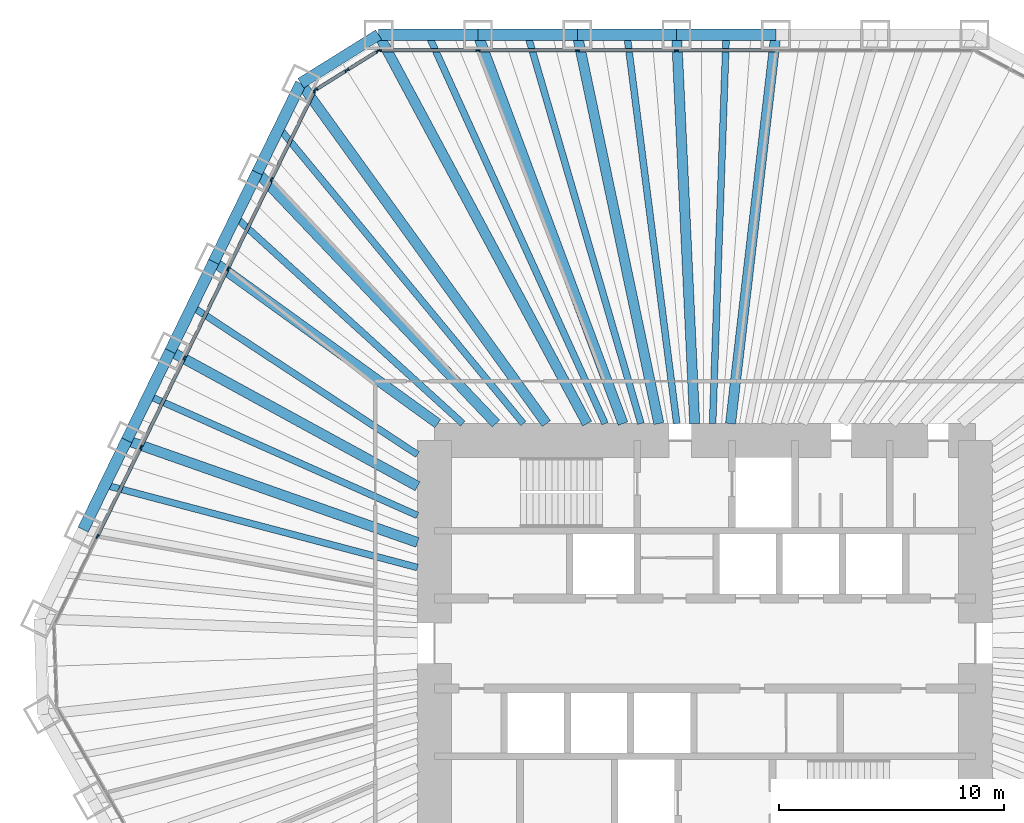
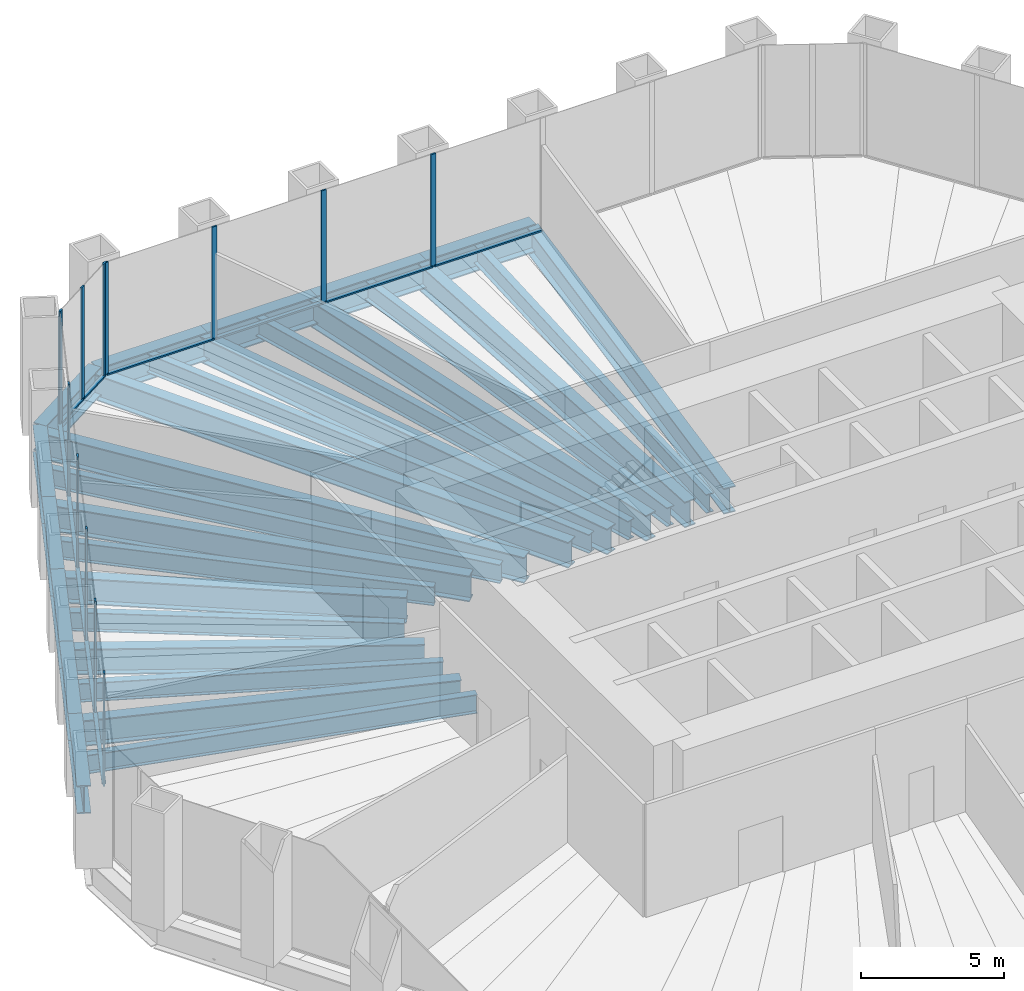
# One storey, part 6 of 13: 29 beams, 24 members, 3 elements without a shape of their own.
"""IFC4 building model written with IfcOpenShell, lengths in metres."""

from ifc_helpers import new_model, si_unit, direction, frame, origin, origin_2d, place, context, subcontext, project, spatial, rectangle, i_section, extrude, material, material_profile, profile_set, type_object, element, aggregate, save


model = new_model("IFC4")

# Units and contexts
model_context = context("Model", 3, precision=1e-05, world=origin(), true_north=direction((0.0, 1.0)))
body_context = subcontext(model_context, "Body", "Model", "MODEL_VIEW")
ifc_project = project(units=[si_unit("LENGTHUNIT", "METRE"), si_unit("AREAUNIT", "SQUARE_METRE"), si_unit("VOLUMEUNIT", "CUBIC_METRE"), si_unit("PLANEANGLEUNIT", "RADIAN"), si_unit("MASSUNIT", "GRAM", prefix="KILO")], contexts=[model_context])

# Site, building, storey
site_placement = place(None, origin())
site = spatial("IfcSite", under=ifc_project, at=site_placement, CompositionType="ELEMENT")
building_placement = place(site_placement, origin())
building = spatial("IfcBuilding", under=site, at=building_placement, Name="Qingtian Harvest Tower", CompositionType="ELEMENT")
storey_placement = place(building_placement, frame((0.0, 0.0, 47.0)))
storey = spatial("IfcBuildingStorey", under=building, at=storey_placement, Name="L09", CompositionType="ELEMENT", Elevation=47.0)

# Beams
ifc_material_1 = material(Name="Steel SM570MC", Category="steel")
ifc_material_profile_1 = material_profile(ifc_material_1, i_section(OverallWidth=0.449951171875, OverallDepth=1.10009765625, WebThickness=0.02197265625, FlangeThickness=0.044921875, at=origin_2d()), Name="H1100x450x22x45")
ifc_profile_set_1 = profile_set([ifc_material_profile_1], Name="Steel SM570MC")
beam_type_1 = type_object("IfcBeamType", Name="Corner floor beam FB8 H1100x450x22x45", PredefinedType="BEAM", material=ifc_profile_set_1)
beam_1_placement = place(storey_placement, frame((-14.471435546875, 27.0, -0.75), z_axis=(0.472401408299, -0.881383520062, 0.0), x_axis=(0.881383520062, 0.472401408299, 0.0)))
element("IfcBeam", 1, at=beam_1_placement, inside=storey, type_object=beam_type_1, Name="Floor beam FB8 N0", PredefinedType="BEAM", context=body_context, shape_type="SweptSolid", body=[
    extrude(i_section(OverallWidth=0.449951171875, OverallDepth=1.10009765625, WebThickness=0.02197265625, FlangeThickness=0.044921875, at=origin_2d()), origin(), (0.0, 0.0, 1.0), 19.571533203125),
])
beam_2_placement = place(storey_placement, frame((-17.923583984375, 24.8427734375, -0.75), z_axis=(0.585095822328, -0.810964166098, 0.0), x_axis=(0.810964166098, 0.585095822328, 0.0)))
element("IfcBeam", 2, at=beam_2_placement, inside=storey, type_object=beam_type_1, Name="Floor beam FB8 NW6", PredefinedType="BEAM", context=body_context, shape_type="SweptSolid", body=[
    extrude(i_section(OverallWidth=0.449951171875, OverallDepth=1.10009765625, WebThickness=0.02197265625, FlangeThickness=0.044921875, at=origin_2d()), origin(), (0.0, 0.0, 1.0), 18.61083984375),
])
ifc_material_2 = material(Name="Steel SM570MC", Category="steel")
ifc_material_profile_2 = material_profile(ifc_material_2, i_section(OverallWidth=0.449951171875, OverallDepth=1.10009765625, WebThickness=0.02197265625, FlangeThickness=0.044921875, at=origin_2d()), Name="H1100x450x22x45")
ifc_profile_set_2 = profile_set([ifc_material_profile_2], Name="Steel SM570MC")
beam_type_2 = type_object("IfcBeamType", Name="Floor beam FB1 H1100x450x22x45", PredefinedType="BEAM", material=ifc_profile_set_2)
beam_3_placement = place(storey_placement, frame((-10.06689453125, 27.0, -0.75), z_axis=(0.349355612113, -0.936990211414, 0.0), x_axis=(0.936990211414, 0.349355612113, 0.0)))
element("IfcBeam", 3, at=beam_3_placement, inside=storey, type_object=beam_type_2, Name="Floor beam FB1 N1", PredefinedType="BEAM", context=body_context, shape_type="SweptSolid", body=[
    extrude(i_section(OverallWidth=0.449951171875, OverallDepth=1.10009765625, WebThickness=0.02197265625, FlangeThickness=0.044921875, at=origin_2d()), origin(), (0.0, 0.0, 1.0), 18.409912109375),
])
beam_4_placement = place(storey_placement, frame((-5.662353515625, 27.0, -0.75), z_axis=(0.205255077335, -0.978708512903, 0.0), x_axis=(0.978708512903, 0.205255077335, 0.0)))
element("IfcBeam", 4, at=beam_4_placement, inside=storey, type_object=beam_type_2, Name="Floor beam FB1 N2", PredefinedType="BEAM", context=body_context, shape_type="SweptSolid", body=[
    extrude(i_section(OverallWidth=0.449951171875, OverallDepth=1.10009765625, WebThickness=0.02197265625, FlangeThickness=0.044921875, at=origin_2d()), origin(), (0.0, 0.0, 1.0), 17.625244140625),
])
beam_5_placement = place(storey_placement, frame((-1.257568359375, 27.0, -0.75), z_axis=(0.046527342366, -0.99891701678, 0.0), x_axis=(0.99891701678, 0.046527342366, 0.0)))
element("IfcBeam", 5, at=beam_5_placement, inside=storey, type_object=beam_type_2, Name="Floor beam FB1 N3", PredefinedType="BEAM", context=body_context, shape_type="SweptSolid", body=[
    extrude(i_section(OverallWidth=0.449951171875, OverallDepth=1.10009765625, WebThickness=0.02197265625, FlangeThickness=0.044921875, at=origin_2d()), origin(), (0.0, 0.0, 1.0), 17.268798828125),
])
beam_6_placement = place(storey_placement, frame((3.14697265625, 27.0, -0.75), z_axis=(-0.115766971807, -0.993276400726, 0.0), x_axis=(0.993276400726, -0.115766971807, 0.0)))
element("IfcBeam", 6, at=beam_6_placement, inside=storey, type_object=beam_type_2, Name="Floor beam FB1 N4", PredefinedType="BEAM", context=body_context, shape_type="SweptSolid", body=[
    extrude(i_section(OverallWidth=0.449951171875, OverallDepth=1.10009765625, WebThickness=0.02197265625, FlangeThickness=0.044921875, at=origin_2d()), origin(), (0.0, 0.0, 1.0), 17.36669921875),
])
beam_7_placement = place(storey_placement, frame((-25.64697265625, 9.007568359375, -0.75), z_axis=(0.943501950009, -0.331366972296, 0.0), x_axis=(0.331366972296, 0.943501950009, 0.0)))
element("IfcBeam", 7, at=beam_7_placement, inside=storey, type_object=beam_type_2, Name="Floor beam FB1 NW2", PredefinedType="BEAM", context=body_context, shape_type="SweptSolid", body=[
    extrude(i_section(OverallWidth=0.449951171875, OverallDepth=1.10009765625, WebThickness=0.02197265625, FlangeThickness=0.044921875, at=origin_2d()), origin(), (0.0, 0.0, 1.0), 13.669189453125),
])
beam_8_placement = place(storey_placement, frame((-23.716064453125, 12.96630859375, -0.75), z_axis=(0.877428569154, -0.479707312882, 0.0), x_axis=(0.479707312882, 0.877428569154, 0.0)))
element("IfcBeam", 8, at=beam_8_placement, inside=storey, type_object=beam_type_2, Name="Floor beam FB1 NW3", PredefinedType="BEAM", context=body_context, shape_type="SweptSolid", body=[
    extrude(i_section(OverallWidth=0.449951171875, OverallDepth=1.10009765625, WebThickness=0.02197265625, FlangeThickness=0.044921875, at=origin_2d()), origin(), (0.0, 0.0, 1.0), 12.498046875),
])
beam_9_placement = place(storey_placement, frame((-21.78515625, 16.92529296875, -0.75), z_axis=(0.810680279019, -0.585489099139, 0.0), x_axis=(0.585489099139, 0.810680279019, 0.0)))
element("IfcBeam", 9, at=beam_9_placement, inside=storey, type_object=beam_type_2, Name="Floor beam FB1 NW4", PredefinedType="BEAM", context=body_context, shape_type="SweptSolid", body=[
    extrude(i_section(OverallWidth=0.449951171875, OverallDepth=1.10009765625, WebThickness=0.02197265625, FlangeThickness=0.044921875, at=origin_2d()), origin(), (0.0, 0.0, 1.0), 12.255126953125),
])
beam_10_placement = place(storey_placement, frame((-19.8544921875, 20.884033203125, -0.75), z_axis=(0.689018801535, -0.724743465739, 0.0), x_axis=(0.724743465739, 0.689018801535, 0.0)))
element("IfcBeam", 10, at=beam_10_placement, inside=storey, type_object=beam_type_2, Name="Floor beam FB1 NW5", PredefinedType="BEAM", context=body_context, shape_type="SweptSolid", body=[
    extrude(i_section(OverallWidth=0.449951171875, OverallDepth=1.10009765625, WebThickness=0.02197265625, FlangeThickness=0.044921875, at=origin_2d()), origin(), (0.0, 0.0, 1.0), 15.36279296875),
])
ifc_material_3 = material(Name="Steel SN490B", Category="steel")
ifc_material_profile_3 = material_profile(ifc_material_3, i_section(OverallWidth=0.300048828125, OverallDepth=0.800048828125, WebThickness=0.013916015625, FlangeThickness=0.02587890625, at=origin_2d()), Name="H800x300x14x26")
ifc_profile_set_3 = profile_set([ifc_material_profile_3], Name="Steel SN490B")
beam_type_3 = type_object("IfcBeamType", Name="Floor joist J1 H800x300x14x26", PredefinedType="JOIST", material=ifc_profile_set_3)
beam_11_placement = place(storey_placement, frame((-12.269287109375, 27.0, -0.60009765625), z_axis=(0.413713629402, -0.910407069858, 0.0), x_axis=(0.910407069858, 0.413713629402, 0.0)))
element("IfcBeam", 11, at=beam_11_placement, inside=storey, type_object=beam_type_3, Name="Floor joist J1 N0", PredefinedType="JOIST", context=body_context, shape_type="SweptSolid", body=[
    extrude(i_section(OverallWidth=0.300048828125, OverallDepth=0.800048828125, WebThickness=0.013916015625, FlangeThickness=0.02587890625, at=origin_2d()), origin(), (0.0, 0.0, 1.0), 18.947509765625),
])
beam_12_placement = place(storey_placement, frame((-7.864501953125, 27.0, -0.60009765625), z_axis=(0.279649335299, -0.960102207719, 0.0), x_axis=(0.960102207719, 0.279649335299, 0.0)))
element("IfcBeam", 12, at=beam_12_placement, inside=storey, type_object=beam_type_3, Name="Floor joist J1 N1", PredefinedType="JOIST", context=body_context, shape_type="SweptSolid", body=[
    extrude(i_section(OverallWidth=0.300048828125, OverallDepth=0.800048828125, WebThickness=0.013916015625, FlangeThickness=0.02587890625, at=origin_2d()), origin(), (0.0, 0.0, 1.0), 17.966796875),
])
beam_13_placement = place(storey_placement, frame((-3.4599609375, 27.0, -0.60009765625), z_axis=(0.127102696173, -0.991889562716, 0.0), x_axis=(0.991889562716, 0.127102696173, 0.0)))
element("IfcBeam", 13, at=beam_13_placement, inside=storey, type_object=beam_type_3, Name="Floor joist J1 N2", PredefinedType="JOIST", context=body_context, shape_type="SweptSolid", body=[
    extrude(i_section(OverallWidth=0.300048828125, OverallDepth=0.800048828125, WebThickness=0.013916015625, FlangeThickness=0.02587890625, at=origin_2d()), origin(), (0.0, 0.0, 1.0), 17.39111328125),
])
beam_14_placement = place(storey_placement, frame((0.944580078125, 27.0, -0.60009765625), z_axis=(-0.034965020137, -0.99938853674, 0.0), x_axis=(0.99938853674, -0.034965020137, 0.0)))
element("IfcBeam", 14, at=beam_14_placement, inside=storey, type_object=beam_type_3, Name="Floor joist J1 N3", PredefinedType="JOIST", context=body_context, shape_type="SweptSolid", body=[
    extrude(i_section(OverallWidth=0.300048828125, OverallDepth=0.800048828125, WebThickness=0.013916015625, FlangeThickness=0.02587890625, at=origin_2d()), origin(), (0.0, 0.0, 1.0), 17.260498046875),
])
beam_15_placement = place(storey_placement, frame((-26.6123046875, 7.028076171875, -0.60009765625), z_axis=(0.966852496992, -0.255335561684, 0.0), x_axis=(0.255335561684, 0.966852496992, 0.0)))
element("IfcBeam", 15, at=beam_15_placement, inside=storey, type_object=beam_type_3, Name="Floor joist J1 NW1", PredefinedType="JOIST", context=body_context, shape_type="SweptSolid", body=[
    extrude(i_section(OverallWidth=0.300048828125, OverallDepth=0.800048828125, WebThickness=0.013916015625, FlangeThickness=0.02587890625, at=origin_2d()), origin(), (0.0, 0.0, 1.0), 14.337646484375),
])
beam_16_placement = place(storey_placement, frame((-24.681640625, 10.987060546875, -0.60009765625), z_axis=(0.913567796195, -0.406686466157, 0.0), x_axis=(0.406686466157, 0.913567796195, 0.0)))
element("IfcBeam", 16, at=beam_16_placement, inside=storey, type_object=beam_type_3, Name="Floor joist J1 NW2", PredefinedType="JOIST", context=body_context, shape_type="SweptSolid", body=[
    extrude(i_section(OverallWidth=0.300048828125, OverallDepth=0.800048828125, WebThickness=0.013916015625, FlangeThickness=0.02587890625, at=origin_2d()), origin(), (0.0, 0.0, 1.0), 13.060546875),
])
beam_17_placement = place(storey_placement, frame((-22.750732421875, 14.94580078125, -0.60009765625), z_axis=(0.835785467613, -0.549056146607, 0.0), x_axis=(0.549056146607, 0.835785467613, 0.0)))
element("IfcBeam", 17, at=beam_17_placement, inside=storey, type_object=beam_type_3, Name="Floor joist J1 NW3", PredefinedType="JOIST", context=body_context, shape_type="SweptSolid", body=[
    extrude(i_section(OverallWidth=0.300048828125, OverallDepth=0.800048828125, WebThickness=0.013916015625, FlangeThickness=0.02587890625, at=origin_2d()), origin(), (0.0, 0.0, 1.0), 11.965576171875),
])
beam_18_placement = place(storey_placement, frame((-20.81982421875, 18.904541015625, -0.60009765625), z_axis=(0.740339866926, -0.672232758381, 0.0), x_axis=(0.672232758381, 0.740339866926, 0.0)))
element("IfcBeam", 18, at=beam_18_placement, inside=storey, type_object=beam_type_3, Name="Floor joist J1 NW4", PredefinedType="JOIST", context=body_context, shape_type="SweptSolid", body=[
    extrude(i_section(OverallWidth=0.300048828125, OverallDepth=0.800048828125, WebThickness=0.013916015625, FlangeThickness=0.02587890625, at=origin_2d()), origin(), (0.0, 0.0, 1.0), 13.6181640625),
])
beam_19_placement = place(storey_placement, frame((-18.888916015625, 22.863525390625, -0.60009765625), z_axis=(0.636910378144, -0.77093785107, 0.0), x_axis=(0.77093785107, 0.636910378144, 0.0)))
element("IfcBeam", 19, at=beam_19_placement, inside=storey, type_object=beam_type_3, Name="Floor joist J1 NW5", PredefinedType="JOIST", context=body_context, shape_type="SweptSolid", body=[
    extrude(i_section(OverallWidth=0.300048828125, OverallDepth=0.800048828125, WebThickness=0.013916015625, FlangeThickness=0.02587890625, at=origin_2d()), origin(), (0.0, 0.0, 1.0), 17.009765625),
])

# Curtain wall, members
ifc_material_4 = material(Name="Bronze-anodised aluminium curtain wall", Category="aluminium")
curtain_wall_type = type_object("IfcCurtainWallType", Name="Curtain wall CW2 farm reception", PredefinedType="USERDEFINED", material=ifc_material_4)
curtain_wall_1_placement = place(storey_placement, origin())
curtain_wall_1 = element("IfcCurtainWall", 20, at=curtain_wall_1_placement, inside=storey, type_object=curtain_wall_type, Name="Curtain wall CW2 L09 N0-5", ObjectType="RECESSED CURTAIN WALL", PredefinedType="USERDEFINED")
ifc_material_5 = material(Name="Bronze-anodised aluminium mullion", Category="aluminium")
ifc_material_profile_4 = material_profile(ifc_material_5, rectangle(XDim=0.06494140625, YDim=0.199951171875, at=origin_2d()), Name="AL 65x200")
ifc_profile_set_4 = profile_set([ifc_material_profile_4], Name="Bronze-anodised aluminium mullion")
member_type_1 = type_object("IfcMemberType", Name="Mullion CWM 65x200", PredefinedType="MULLION", material=ifc_profile_set_4)
member_1_placement = place(storey_placement, frame((-14.43896484375, 26.300048828125, 0.0), z_axis=(0.0, 0.0, 1.0), x_axis=(0.0, 1.0, 0.0)))
member_1 = element("IfcMember", 21, at=member_1_placement, type_object=member_type_1, Name="CW2 mullion 1", PredefinedType="MULLION", context=body_context, shape_type="SweptSolid", body=[
    extrude(rectangle(XDim=0.06494140625, YDim=0.199951171875, at=origin_2d()), origin(), (0.0, 0.0, 1.0), 4.800048828125),
])
member_2_placement = place(storey_placement, frame((-10.06689453125, 26.300048828125, 0.0), z_axis=(0.0, 0.0, 1.0), x_axis=(0.0, 1.0, 0.0)))
member_2 = element("IfcMember", 22, at=member_2_placement, type_object=member_type_1, Name="CW2 mullion 2", PredefinedType="MULLION", context=body_context, shape_type="SweptSolid", body=[
    extrude(rectangle(XDim=0.06494140625, YDim=0.199951171875, at=origin_2d()), origin(), (0.0, 0.0, 1.0), 4.800048828125),
])
member_3_placement = place(storey_placement, frame((-5.662353515625, 26.300048828125, 0.0), z_axis=(0.0, 0.0, 1.0), x_axis=(0.0, 1.0, 0.0)))
member_3 = element("IfcMember", 23, at=member_3_placement, type_object=member_type_1, Name="CW2 mullion 3", PredefinedType="MULLION", context=body_context, shape_type="SweptSolid", body=[
    extrude(rectangle(XDim=0.06494140625, YDim=0.199951171875, at=origin_2d()), origin(), (0.0, 0.0, 1.0), 4.800048828125),
])
member_4_placement = place(storey_placement, frame((-1.257568359375, 26.300048828125, 0.0), z_axis=(0.0, 0.0, 1.0), x_axis=(0.0, 1.0, 0.0)))
member_4 = element("IfcMember", 24, at=member_4_placement, type_object=member_type_1, Name="CW2 mullion 4", PredefinedType="MULLION", context=body_context, shape_type="SweptSolid", body=[
    extrude(rectangle(XDim=0.06494140625, YDim=0.199951171875, at=origin_2d()), origin(), (0.0, 0.0, 1.0), 4.800048828125),
])

curtain_wall_2_placement = place(storey_placement, origin())
curtain_wall_2 = element("IfcCurtainWall", 25, at=curtain_wall_2_placement, inside=storey, type_object=curtain_wall_type, Name="Curtain wall CW2 L09 NW0-5", ObjectType="RECESSED CURTAIN WALL", PredefinedType="USERDEFINED")
member_5_placement = place(storey_placement, frame((-26.94873046875, 4.741943359375, 0.0), z_axis=(0.0, 0.0, 1.0), x_axis=(-0.898794046299, 0.438371146789, 0.0)))
member_5 = element("IfcMember", 26, at=member_5_placement, type_object=member_type_1, Name="CW2 mullion 2", PredefinedType="MULLION", context=body_context, shape_type="SweptSolid", body=[
    extrude(rectangle(XDim=0.06494140625, YDim=0.199951171875, at=origin_2d()), origin(), (0.0, 0.0, 1.0), 4.800048828125),
])
member_6_placement = place(storey_placement, frame((-25.017822265625, 8.70068359375, 0.0), z_axis=(0.0, 0.0, 1.0), x_axis=(-0.898794046299, 0.438371146789, 0.0)))
member_6 = element("IfcMember", 27, at=member_6_placement, type_object=member_type_1, Name="CW2 mullion 3", PredefinedType="MULLION", context=body_context, shape_type="SweptSolid", body=[
    extrude(rectangle(XDim=0.06494140625, YDim=0.199951171875, at=origin_2d()), origin(), (0.0, 0.0, 1.0), 4.800048828125),
])
member_7_placement = place(storey_placement, frame((-23.0869140625, 12.659423828125, 0.0), z_axis=(0.0, 0.0, 1.0), x_axis=(-0.898794046299, 0.438371146789, 0.0)))
member_7 = element("IfcMember", 28, at=member_7_placement, type_object=member_type_1, Name="CW2 mullion 4", PredefinedType="MULLION", context=body_context, shape_type="SweptSolid", body=[
    extrude(rectangle(XDim=0.06494140625, YDim=0.199951171875, at=origin_2d()), origin(), (0.0, 0.0, 1.0), 4.800048828125),
])
member_8_placement = place(storey_placement, frame((-21.156005859375, 16.618408203125, 0.0), z_axis=(0.0, 0.0, 1.0), x_axis=(-0.898794046299, 0.438371146789, 0.0)))
member_8 = element("IfcMember", 29, at=member_8_placement, type_object=member_type_1, Name="CW2 mullion 5", PredefinedType="MULLION", context=body_context, shape_type="SweptSolid", body=[
    extrude(rectangle(XDim=0.06494140625, YDim=0.199951171875, at=origin_2d()), origin(), (0.0, 0.0, 1.0), 4.800048828125),
])
member_9_placement = place(storey_placement, frame((-19.225341796875, 20.5771484375, 0.0), z_axis=(0.0, 0.0, 1.0), x_axis=(-0.898794046299, 0.438371146789, 0.0)))
member_9 = element("IfcMember", 30, at=member_9_placement, type_object=member_type_1, Name="CW2 mullion 6", PredefinedType="MULLION", context=body_context, shape_type="SweptSolid", body=[
    extrude(rectangle(XDim=0.06494140625, YDim=0.199951171875, at=origin_2d()), origin(), (0.0, 0.0, 1.0), 4.800048828125),
])
member_10_placement = place(storey_placement, frame((-17.30859375, 24.5068359375, 0.0), z_axis=(0.0, 0.0, 1.0), x_axis=(-0.898794046299, 0.438371146789, 0.0)))
member_10 = element("IfcMember", 31, at=member_10_placement, type_object=member_type_1, Name="CW2 mullion 7", PredefinedType="MULLION", context=body_context, shape_type="SweptSolid", body=[
    extrude(rectangle(XDim=0.06494140625, YDim=0.199951171875, at=origin_2d()), origin(), (0.0, 0.0, 1.0), 4.800048828125),
])

curtain_wall_3_placement = place(storey_placement, origin())
curtain_wall_3 = element("IfcCurtainWall", 32, at=curtain_wall_3_placement, inside=storey, type_object=curtain_wall_type, Name="Curtain wall CW2 L09 NWC", ObjectType="RECESSED CURTAIN WALL", PredefinedType="USERDEFINED")
member_11_placement = place(storey_placement, frame((-17.266845703125, 24.55322265625, 0.0), z_axis=(0.0, 0.0, 1.0), x_axis=(-0.529919264233, 0.848048096156, 0.0)))
member_11 = element("IfcMember", 33, at=member_11_placement, type_object=member_type_1, Name="CW2 mullion 1", PredefinedType="MULLION", context=body_context, shape_type="SweptSolid", body=[
    extrude(rectangle(XDim=0.06494140625, YDim=0.199951171875, at=origin_2d()), origin(), (0.0, 0.0, 1.0), 4.800048828125),
])
member_12_placement = place(storey_placement, frame((-15.883056640625, 25.41796875, 0.0), z_axis=(0.0, 0.0, 1.0), x_axis=(-0.529919264233, 0.848048096156, 0.0)))
member_12 = element("IfcMember", 34, at=member_12_placement, type_object=member_type_1, Name="CW2 mullion 2", PredefinedType="MULLION", context=body_context, shape_type="SweptSolid", body=[
    extrude(rectangle(XDim=0.06494140625, YDim=0.199951171875, at=origin_2d()), origin(), (0.0, 0.0, 1.0), 4.800048828125),
])
member_13_placement = place(storey_placement, frame((-14.4990234375, 26.28271484375, 0.0), z_axis=(0.0, 0.0, 1.0), x_axis=(-0.529919264233, 0.848048096156, 0.0)))
member_13 = element("IfcMember", 35, at=member_13_placement, type_object=member_type_1, Name="CW2 mullion 3", PredefinedType="MULLION", context=body_context, shape_type="SweptSolid", body=[
    extrude(rectangle(XDim=0.06494140625, YDim=0.199951171875, at=origin_2d()), origin(), (0.0, 0.0, 1.0), 4.800048828125),
])

# Beams
ifc_material_6 = material(Name="Steel SM570MC", Category="steel")
ifc_material_profile_5 = material_profile(ifc_material_6, i_section(OverallWidth=0.5, OverallDepth=1.199951171875, WebThickness=0.02490234375, FlangeThickness=0.050048828125, at=origin_2d()), Name="H1200x500x25x50")
ifc_profile_set_5 = profile_set([ifc_material_profile_5], Name="Steel SM570MC")
beam_type_4 = type_object("IfcBeamType", Name="Spandrel beam SB1 H1200x500x25x50", PredefinedType="SPANDREL", material=ifc_profile_set_5)
for number, where, z_axis, x_axis, name in (
    (36, (-14.471435546875, 27.0, -0.60009765625), (1.0, 0.0, 0.0), (0.0, 1.0, 0.0), "Spandrel SB1 N0"),
    (37, (-10.06689453125, 27.0, -0.60009765625), (1.0, 0.0, 0.0), (0.0, 1.0, 0.0), "Spandrel SB1 N1"),
):
    element("IfcBeam", number, at=place(storey_placement, frame(where, z_axis=z_axis, x_axis=x_axis)), inside=storey, type_object=beam_type_4, Name=name, PredefinedType="SPANDREL", context=body_context, shape_type="SweptSolid", body=[
        extrude(i_section(OverallWidth=0.5, OverallDepth=1.199951171875, WebThickness=0.02490234375, FlangeThickness=0.050048828125, at=origin_2d()), origin(), (0.0, 0.0, 1.0), 4.404541015625),
    ])
beam_20_placement = place(storey_placement, frame((-5.662353515625, 27.0, -0.60009765625), z_axis=(1.0, 0.0, 0.0), x_axis=(0.0, 1.0, 0.0)))
element("IfcBeam", 38, at=beam_20_placement, inside=storey, type_object=beam_type_4, Name="Spandrel SB1 N2", PredefinedType="SPANDREL", context=body_context, shape_type="SweptSolid", body=[
    extrude(i_section(OverallWidth=0.5, OverallDepth=1.199951171875, WebThickness=0.02490234375, FlangeThickness=0.050048828125, at=origin_2d()), origin(), (0.0, 0.0, 1.0), 4.40478515625),
])
for number, where, z_axis, x_axis, name in (
    (39, (-1.257568359375, 27.0, -0.60009765625), (1.0, 0.0, 0.0), (0.0, 1.0, 0.0), "Spandrel SB1 N3"),
    (40, (-27.577880859375, 5.048828125, -0.60009765625), (0.438389777529, 0.898784959241, 0.0), (-0.898784959241, 0.438389777529, 0.0), "Spandrel SB1 NW1"),
    (41, (-25.64697265625, 9.007568359375, -0.60009765625), (0.438389777529, 0.898784959241, 0.0), (-0.898784959241, 0.438389777529, 0.0), "Spandrel SB1 NW2"),
):
    element("IfcBeam", number, at=place(storey_placement, frame(where, z_axis=z_axis, x_axis=x_axis)), inside=storey, type_object=beam_type_4, Name=name, PredefinedType="SPANDREL", context=body_context, shape_type="SweptSolid", body=[
        extrude(i_section(OverallWidth=0.5, OverallDepth=1.199951171875, WebThickness=0.02490234375, FlangeThickness=0.050048828125, at=origin_2d()), origin(), (0.0, 0.0, 1.0), 4.404541015625),
    ])
beam_21_placement = place(storey_placement, frame((-23.716064453125, 12.96630859375, -0.60009765625), z_axis=(0.438367938366, 0.898795611145, 0.0), x_axis=(-0.898795611145, 0.438367938366, 0.0)))
element("IfcBeam", 42, at=beam_21_placement, inside=storey, type_object=beam_type_4, Name="Spandrel SB1 NW3", PredefinedType="SPANDREL", context=body_context, shape_type="SweptSolid", body=[
    extrude(i_section(OverallWidth=0.5, OverallDepth=1.199951171875, WebThickness=0.02490234375, FlangeThickness=0.050048828125, at=origin_2d()), origin(), (0.0, 0.0, 1.0), 4.40478515625),
])
for number, where, z_axis, x_axis, name in (
    (43, (-21.78515625, 16.92529296875, -0.60009765625), (0.438344999367, 0.898806798778, 0.0), (-0.898806798778, 0.438344999367, 0.0), "Spandrel SB1 NW4"),
    (44, (-19.8544921875, 20.884033203125, -0.60009765625), (0.438389777529, 0.898784959241, 0.0), (-0.898784959241, 0.438389777529, 0.0), "Spandrel SB1 NW5"),
):
    element("IfcBeam", number, at=place(storey_placement, frame(where, z_axis=z_axis, x_axis=x_axis)), inside=storey, type_object=beam_type_4, Name=name, PredefinedType="SPANDREL", context=body_context, shape_type="SweptSolid", body=[
        extrude(i_section(OverallWidth=0.5, OverallDepth=1.199951171875, WebThickness=0.02490234375, FlangeThickness=0.050048828125, at=origin_2d()), origin(), (0.0, 0.0, 1.0), 4.404541015625),
    ])
beam_22_placement = place(storey_placement, frame((-17.923583984375, 24.8427734375, -0.60009765625), z_axis=(0.848038733752, 0.529934246919, 0.0), x_axis=(-0.529934246919, 0.848038733752, 0.0)))
element("IfcBeam", 45, at=beam_22_placement, inside=storey, type_object=beam_type_4, Name="Spandrel SB1 NWC", PredefinedType="SPANDREL", context=body_context, shape_type="SweptSolid", body=[
    extrude(i_section(OverallWidth=0.5, OverallDepth=1.199951171875, WebThickness=0.02490234375, FlangeThickness=0.050048828125, at=origin_2d()), origin(), (0.0, 0.0, 1.0), 4.07080078125),
])

# Member
ifc_material_7 = material(Name="Bronze-anodised aluminium transom", Category="aluminium")
ifc_material_profile_6 = material_profile(ifc_material_7, rectangle(XDim=0.14990234375, YDim=0.06494140625, at=origin_2d()), Name="AL 65x150")
ifc_profile_set_6 = profile_set([ifc_material_profile_6], Name="Bronze-anodised aluminium transom")
member_type_2 = type_object("IfcMemberType", Name="Transom CWT 65x150", PredefinedType="USERDEFINED", material=ifc_profile_set_6)
member_14_placement = place(storey_placement, frame((-14.406494140625, 26.300048828125, 0.032470703125), z_axis=(1.0, 0.0, 0.0), x_axis=(0.0, 1.0, 0.0)))
member_14 = element("IfcMember", 46, at=member_14_placement, type_object=member_type_2, Name="CW2 transom 1.1", ObjectType="TRANSOM", PredefinedType="USERDEFINED", context=body_context, shape_type="SweptSolid", body=[
    extrude(rectangle(XDim=0.14990234375, YDim=0.06494140625, at=origin_2d()), origin(), (0.0, 0.0, 1.0), 4.30712890625),
])

member_15_placement = place(storey_placement, frame((-10.034423828125, 26.300048828125, 0.032470703125), z_axis=(1.0, 0.0, 0.0), x_axis=(0.0, 1.0, 0.0)))
member_15 = element("IfcMember", 47, at=member_15_placement, type_object=member_type_2, Name="CW2 transom 2.1", ObjectType="TRANSOM", PredefinedType="USERDEFINED", context=body_context, shape_type="SweptSolid", body=[
    extrude(rectangle(XDim=0.14990234375, YDim=0.06494140625, at=origin_2d()), origin(), (0.0, 0.0, 1.0), 4.339599609375),
])

member_16_placement = place(storey_placement, frame((-5.6298828125, 26.300048828125, 0.032470703125), z_axis=(1.0, 0.0, 0.0), x_axis=(0.0, 1.0, 0.0)))
member_16 = element("IfcMember", 48, at=member_16_placement, type_object=member_type_2, Name="CW2 transom 3.1", ObjectType="TRANSOM", PredefinedType="USERDEFINED", context=body_context, shape_type="SweptSolid", body=[
    extrude(rectangle(XDim=0.14990234375, YDim=0.06494140625, at=origin_2d()), origin(), (0.0, 0.0, 1.0), 4.33984375),
])

member_17_placement = place(storey_placement, frame((-1.22509765625, 26.300048828125, 0.032470703125), z_axis=(1.0, 0.0, 0.0), x_axis=(0.0, 1.0, 0.0)))
member_17 = element("IfcMember", 49, at=member_17_placement, type_object=member_type_2, Name="CW2 transom 4.1", ObjectType="TRANSOM", PredefinedType="USERDEFINED", context=body_context, shape_type="SweptSolid", body=[
    extrude(rectangle(XDim=0.14990234375, YDim=0.06494140625, at=origin_2d()), origin(), (0.0, 0.0, 1.0), 4.339599609375),
])

aggregate(curtain_wall_1, [member_1, member_2, member_3, member_4, member_14, member_15, member_16, member_17])

member_18_placement = place(storey_placement, frame((-26.934326171875, 4.77099609375, 0.032470703125), z_axis=(0.438370427127, 0.898794397302, 0.0), x_axis=(-0.898794397302, 0.438370427127, 0.0)))
member_18 = element("IfcMember", 50, at=member_18_placement, type_object=member_type_2, Name="CW2 transom 2.1", ObjectType="TRANSOM", PredefinedType="USERDEFINED", context=body_context, shape_type="SweptSolid", body=[
    extrude(rectangle(XDim=0.14990234375, YDim=0.06494140625, at=origin_2d()), origin(), (0.0, 0.0, 1.0), 4.339599609375),
])

member_19_placement = place(storey_placement, frame((-25.003662109375, 8.72998046875, 0.032470703125), z_axis=(0.438370427127, 0.898794397302, 0.0), x_axis=(-0.898794397302, 0.438370427127, 0.0)))
member_19 = element("IfcMember", 51, at=member_19_placement, type_object=member_type_2, Name="CW2 transom 3.1", ObjectType="TRANSOM", PredefinedType="USERDEFINED", context=body_context, shape_type="SweptSolid", body=[
    extrude(rectangle(XDim=0.14990234375, YDim=0.06494140625, at=origin_2d()), origin(), (0.0, 0.0, 1.0), 4.339599609375),
])

member_20_placement = place(storey_placement, frame((-23.07275390625, 12.688720703125, 0.032470703125), z_axis=(0.438370427127, 0.898794397302, 0.0), x_axis=(-0.898794397302, 0.438370427127, 0.0)))
member_20 = element("IfcMember", 52, at=member_20_placement, type_object=member_type_2, Name="CW2 transom 4.1", ObjectType="TRANSOM", PredefinedType="USERDEFINED", context=body_context, shape_type="SweptSolid", body=[
    extrude(rectangle(XDim=0.14990234375, YDim=0.06494140625, at=origin_2d()), origin(), (0.0, 0.0, 1.0), 4.339599609375),
])

member_21_placement = place(storey_placement, frame((-21.141845703125, 16.6474609375, 0.032470703125), z_axis=(0.438348261778, 0.898805207704, 0.0), x_axis=(-0.898805207704, 0.438348261778, 0.0)))
member_21 = element("IfcMember", 53, at=member_21_placement, type_object=member_type_2, Name="CW2 transom 5.1", ObjectType="TRANSOM", PredefinedType="USERDEFINED", context=body_context, shape_type="SweptSolid", body=[
    extrude(rectangle(XDim=0.14990234375, YDim=0.06494140625, at=origin_2d()), origin(), (0.0, 0.0, 1.0), 4.33984375),
])

member_22_placement = place(storey_placement, frame((-19.2109375, 20.6064453125, 0.032470703125), z_axis=(0.438348803491, 0.89880494351, 0.0), x_axis=(-0.89880494351, 0.438348803491, 0.0)))
member_22 = element("IfcMember", 54, at=member_22_placement, type_object=member_type_2, Name="CW2 transom 6.1", ObjectType="TRANSOM", PredefinedType="USERDEFINED", context=body_context, shape_type="SweptSolid", body=[
    extrude(rectangle(XDim=0.14990234375, YDim=0.06494140625, at=origin_2d()), origin(), (0.0, 0.0, 1.0), 4.306884765625),
])

aggregate(curtain_wall_2, [member_5, member_6, member_7, member_8, member_9, member_10, member_18, member_19, member_20, member_21, member_22])

member_23_placement = place(storey_placement, frame((-17.2392578125, 24.570556640625, 0.032470703125), z_axis=(0.848059570903, 0.529900900357, 0.0), x_axis=(-0.529900900357, 0.848059570903, 0.0)))
member_23 = element("IfcMember", 55, at=member_23_placement, type_object=member_type_2, Name="CW2 transom 1.1", ObjectType="TRANSOM", PredefinedType="USERDEFINED", context=body_context, shape_type="SweptSolid", body=[
    extrude(rectangle(XDim=0.14990234375, YDim=0.06494140625, at=origin_2d()), origin(), (0.0, 0.0, 1.0), 1.56689453125),
])

member_24_placement = place(storey_placement, frame((-15.85546875, 25.435302734375, 0.032470703125), z_axis=(0.848059570903, 0.529900900357, 0.0), x_axis=(-0.529900900357, 0.848059570903, 0.0)))
member_24 = element("IfcMember", 56, at=member_24_placement, type_object=member_type_2, Name="CW2 transom 2.1", ObjectType="TRANSOM", PredefinedType="USERDEFINED", context=body_context, shape_type="SweptSolid", body=[
    extrude(rectangle(XDim=0.14990234375, YDim=0.06494140625, at=origin_2d()), origin(), (0.0, 0.0, 1.0), 1.56689453125),
])

aggregate(curtain_wall_3, [member_11, member_12, member_13, member_23, member_24])

save(model, "model.ifc")
